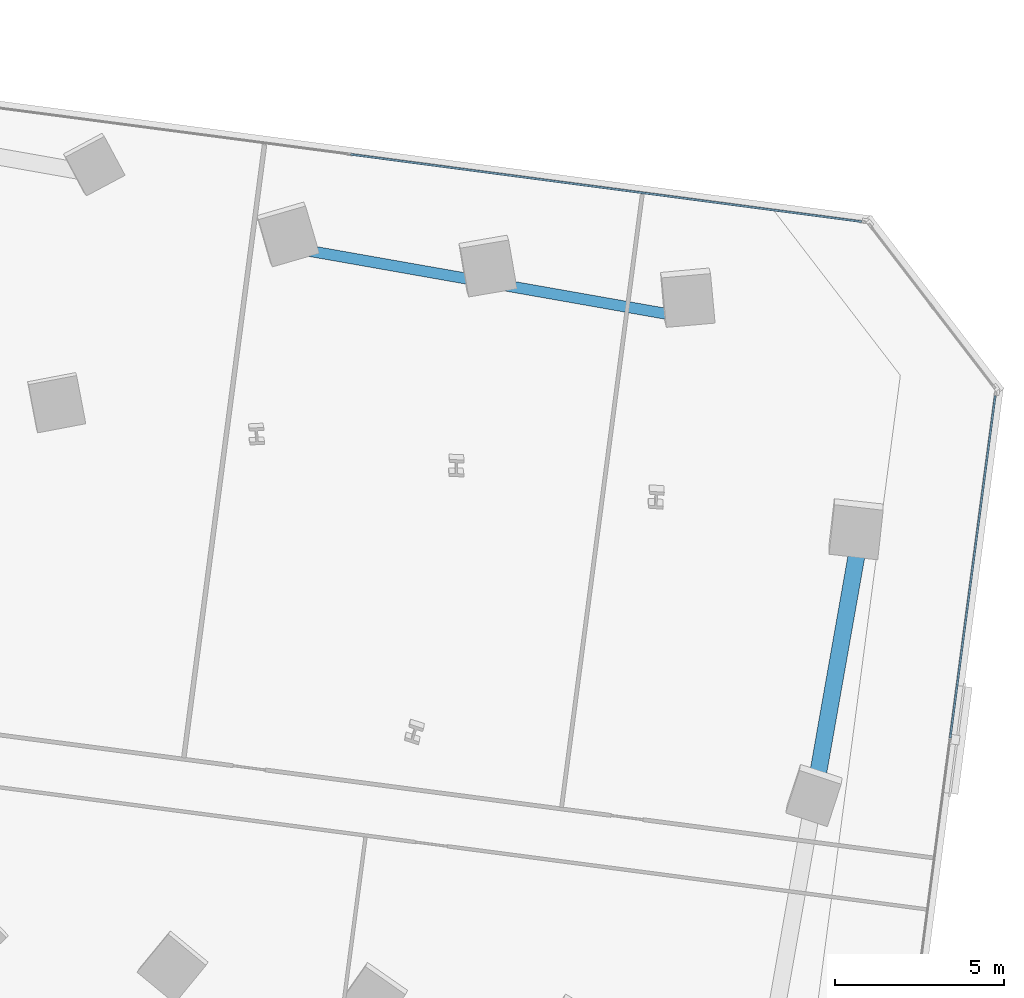
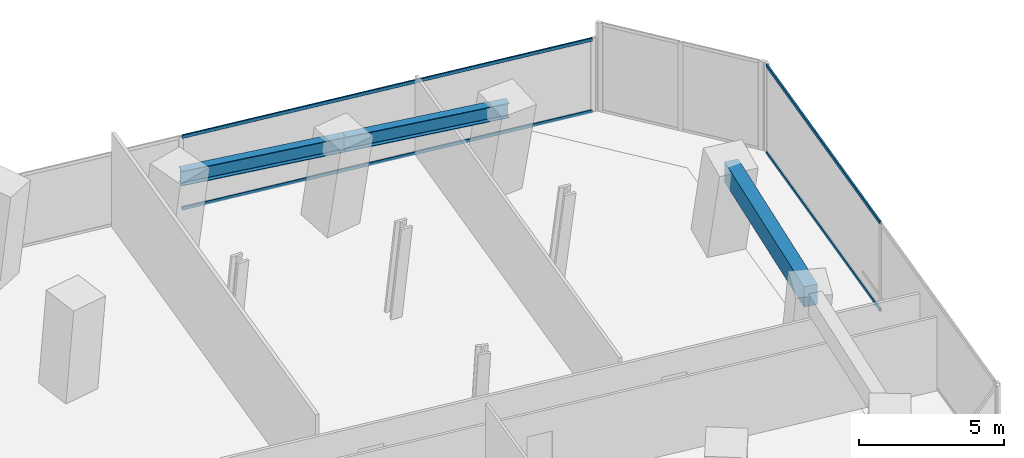
# One storey, part 11 of 24: 4 members, 3 beams, 2 elements without a shape of their own.
"""IFC4 building model written with IfcOpenShell, lengths in metres."""

from ifc_helpers import new_model, si_unit, direction, frame, origin, origin_2d, place, context, subcontext, project, spatial, rectangle, hollow_rectangle, i_section, extrude, source, transform, mapped, material, material_profile, profile_set, type_object, element, aggregate, save


model = new_model("IFC4")

# Units and contexts
model_context = context("Model", 3, precision=1e-05, world=origin(), true_north=direction((0.0, 1.0)))
body_context = subcontext(model_context, "Body", "Model", "MODEL_VIEW")
ifc_project = project(units=[si_unit("LENGTHUNIT", "METRE"), si_unit("AREAUNIT", "SQUARE_METRE"), si_unit("VOLUMEUNIT", "CUBIC_METRE"), si_unit("PLANEANGLEUNIT", "RADIAN"), si_unit("MASSUNIT", "GRAM", prefix="KILO")], contexts=[model_context])

# Site, building, storey
site_placement = place(None, origin())
site = spatial("IfcSite", under=ifc_project, at=site_placement, CompositionType="ELEMENT")
building_placement = place(site_placement, origin())
building = spatial("IfcBuilding", under=site, at=building_placement, Name="Torre Montelarca", CompositionType="ELEMENT")
storey_placement = place(building_placement, frame((0.0, 0.0, 70.60009765625)))
storey = spatial("IfcBuildingStorey", under=building, at=storey_placement, Name="L15", CompositionType="ELEMENT", Elevation=70.60009765625)

# Beams
ifc_material_1 = material(Name="Steel ASTM A992 Grade 50", Category="steel")
ifc_material_profile_1 = material_profile(ifc_material_1, i_section(OverallWidth=0.326904296875, OverallDepth=0.6220703125, WebThickness=0.015380859375, FlangeThickness=0.0244140625, FilletRadius=0.014892578125, at=origin_2d()), Name="W610X195", Category="steel")
ifc_profile_set_1 = profile_set([ifc_material_profile_1], Name="Steel ASTM A992 Grade 50")
beam_type_1 = type_object("IfcBeamType", Name="BM-G-W610H", PredefinedType="BEAM", material=ifc_profile_set_1)
shared_shape_1 = source(origin(), body_context, "Body", "SweptSolid", [
    extrude(i_section(OverallWidth=0.326904296875, OverallDepth=0.6220703125, WebThickness=0.015380859375, FlangeThickness=0.0244140625, FilletRadius=0.014892578125, at=origin_2d()), origin(), (0.0, 0.0, 1.0), 6.0),
])
beam_1_placement = place(storey_placement, frame((44.11962890625, 42.2275390625, 3.64892578125), z_axis=(0.984805261243, -0.173662308598, 0.0), x_axis=(0.173662308598, 0.984805261243, 0.0)))
element("IfcBeam", 1, at=beam_1_placement, inside=storey, type_object=beam_type_1, Name="L15 Grid Girder X 42.0-48.0 at Y=46.0", PredefinedType="BEAM", context=body_context, shape_type="MappedRepresentation", body=[
    mapped(shared_shape_1, transform((0.0, 0.0, 0.0), scale=1.0)),
])
shared_shape_2 = source(origin(), body_context, "Body", "SweptSolid", [
    extrude(i_section(OverallWidth=0.326904296875, OverallDepth=0.6220703125, WebThickness=0.015380859375, FlangeThickness=0.0244140625, FilletRadius=0.014892578125, at=origin_2d()), origin(), (0.0, 0.0, 1.0), 5.999755859375),
])
beam_2_placement = place(storey_placement, frame((50.028564453125, 41.185546875, 3.64892578125), z_axis=(0.984810992686, -0.173629803561, 0.0), x_axis=(0.173629803561, 0.984810992686, 0.0)))
element("IfcBeam", 2, at=beam_2_placement, inside=storey, type_object=beam_type_1, Name="L15 Grid Girder X 48.0-54.0 at Y=46.0", PredefinedType="BEAM", context=body_context, shape_type="MappedRepresentation", body=[
    mapped(shared_shape_2, transform((0.0, 0.0, 0.0), scale=1.0)),
])
ifc_material_2 = material(Name="Concrete C55/67", Category="concrete")
ifc_material_profile_2 = material_profile(ifc_material_2, rectangle(XDim=0.5, YDim=0.85009765625, at=origin_2d()), Name="RCB500X850", Category="concrete")
ifc_profile_set_2 = profile_set([ifc_material_profile_2], Name="Concrete C55/67")
beam_type_2 = type_object("IfcBeamType", Name="BM-SP-RC850-EXT", PredefinedType="SPANDREL", material=ifc_profile_set_2)
shared_shape_3 = source(origin(), body_context, "Body", "SweptSolid", [
    extrude(rectangle(XDim=0.5, YDim=0.85009765625, at=origin_2d()), origin(), (0.0, 0.0, 1.0), 8.000244140625),
])
beam_3_placement = place(storey_placement, frame((59.4150390625, 25.314453125, 3.534912109375), z_axis=(0.173640837858, 0.98480904719, 0.0), x_axis=(-0.98480904719, 0.173640837858, 0.0)))
element("IfcBeam", 3, at=beam_3_placement, inside=storey, type_object=beam_type_2, Name="L15 Grid Girder Y 32.0-40.0 at X=60.0", PredefinedType="SPANDREL", context=body_context, shape_type="MappedRepresentation", body=[
    mapped(shared_shape_3, transform((0.0, 0.0, 0.0), scale=1.0)),
])

# Curtain wall, members
ifc_material_3 = material(Name="Insulated low-E laminated glass", Category="glass")
curtain_wall_type = type_object("IfcCurtainWallType", Name="CW-SYS-Z1", PredefinedType="USERDEFINED", material=ifc_material_3)
curtain_wall_1_placement = place(storey_placement, origin())
curtain_wall_1 = element("IfcCurtainWall", 4, at=curtain_wall_1_placement, inside=storey, type_object=curtain_wall_type, Name="L15 Curtain Wall Run CW-T3-L15-E06-B1", ObjectType="UNITISED GLAZING", PredefinedType="USERDEFINED")
ifc_material_4 = material(Name="Anodised aluminium AA 6063-T6", Category="aluminium")
ifc_material_profile_3 = material_profile(ifc_material_4, hollow_rectangle(XDim=0.06494140625, YDim=0.139892578125, WallThickness=0.00390625, InnerFilletRadius=0.00390625, OuterFilletRadius=0.008056640625, at=origin_2d()), Name="ALU65X140X4", Category="aluminium")
ifc_profile_set_3 = profile_set([ifc_material_profile_3], Name="Anodised aluminium AA 6063-T6")
member_type = type_object("IfcMemberType", Name="CWT-ALU140", PredefinedType="USERDEFINED", material=ifc_profile_set_3)
shared_shape_4 = source(origin(), body_context, "Body", "SweptSolid", [
    extrude(hollow_rectangle(XDim=0.06494140625, YDim=0.139892578125, WallThickness=0.00390625, InnerFilletRadius=0.00390625, OuterFilletRadius=0.008056640625, at=origin_2d()), origin(), (0.0, 0.0, 1.0), 10.23681640625),
])
member_1_placement = place(storey_placement, frame((63.5693359375, 27.70458984375, 0.032470703125), z_axis=(0.130504484341, 0.991447719029, 0.0), x_axis=(-0.991447719029, 0.130504484341, 0.0)))
member_1 = element("IfcMember", 5, at=member_1_placement, type_object=member_type, Name="CW transom 2.1", ObjectType="TRANSOM", PredefinedType="USERDEFINED", context=body_context, shape_type="MappedRepresentation", body=[
    mapped(shared_shape_4, transform((0.0, 0.0, 0.0), scale=1.0)),
])
member_2_placement = place(storey_placement, frame((63.5693359375, 27.70458984375, 3.6875), z_axis=(0.130504484341, 0.991447719029, 0.0), x_axis=(-0.991447719029, 0.130504484341, 0.0)))
member_2 = element("IfcMember", 6, at=member_2_placement, type_object=member_type, Name="CW transom 2.2", ObjectType="TRANSOM", PredefinedType="USERDEFINED", context=body_context, shape_type="MappedRepresentation", body=[
    mapped(shared_shape_4, transform((0.0, 0.0, 0.0), scale=1.0)),
])
aggregate(curtain_wall_1, [member_1, member_2])

curtain_wall_2_placement = place(storey_placement, origin())
curtain_wall_2 = element("IfcCurtainWall", 7, at=curtain_wall_2_placement, inside=storey, type_object=curtain_wall_type, Name="L15 Curtain Wall Run CW-T3-L15-E08-B1", ObjectType="UNITISED GLAZING", PredefinedType="USERDEFINED")
shared_shape_5 = source(origin(), body_context, "Body", "SweptSolid", [
    extrude(hollow_rectangle(XDim=0.06494140625, YDim=0.139892578125, WallThickness=0.00390625, InnerFilletRadius=0.00390625, OuterFilletRadius=0.008056640625, at=origin_2d()), origin(), (0.0, 0.0, 1.0), 15.289794921875),
])
member_3_placement = place(storey_placement, frame((60.9443359375, 43.015869140625, 0.032470703125), z_axis=(-0.991445760689, 0.130519361065, 0.0), x_axis=(-0.130519361065, -0.991445760689, 0.0)))
member_3 = element("IfcMember", 8, at=member_3_placement, type_object=member_type, Name="CW transom 1.1", ObjectType="TRANSOM", PredefinedType="USERDEFINED", context=body_context, shape_type="MappedRepresentation", body=[
    mapped(shared_shape_5, transform((0.0, 0.0, 0.0), scale=1.0)),
])
member_4_placement = place(storey_placement, frame((60.9443359375, 43.015869140625, 3.04248046875), z_axis=(-0.991445760689, 0.130519361065, 0.0), x_axis=(-0.130519361065, -0.991445760689, 0.0)))
member_4 = element("IfcMember", 9, at=member_4_placement, type_object=member_type, Name="CW transom 1.2", ObjectType="TRANSOM", PredefinedType="USERDEFINED", context=body_context, shape_type="MappedRepresentation", body=[
    mapped(shared_shape_5, transform((0.0, 0.0, 0.0), scale=1.0)),
])
aggregate(curtain_wall_2, [member_3, member_4])

save(model, "model.ifc")
